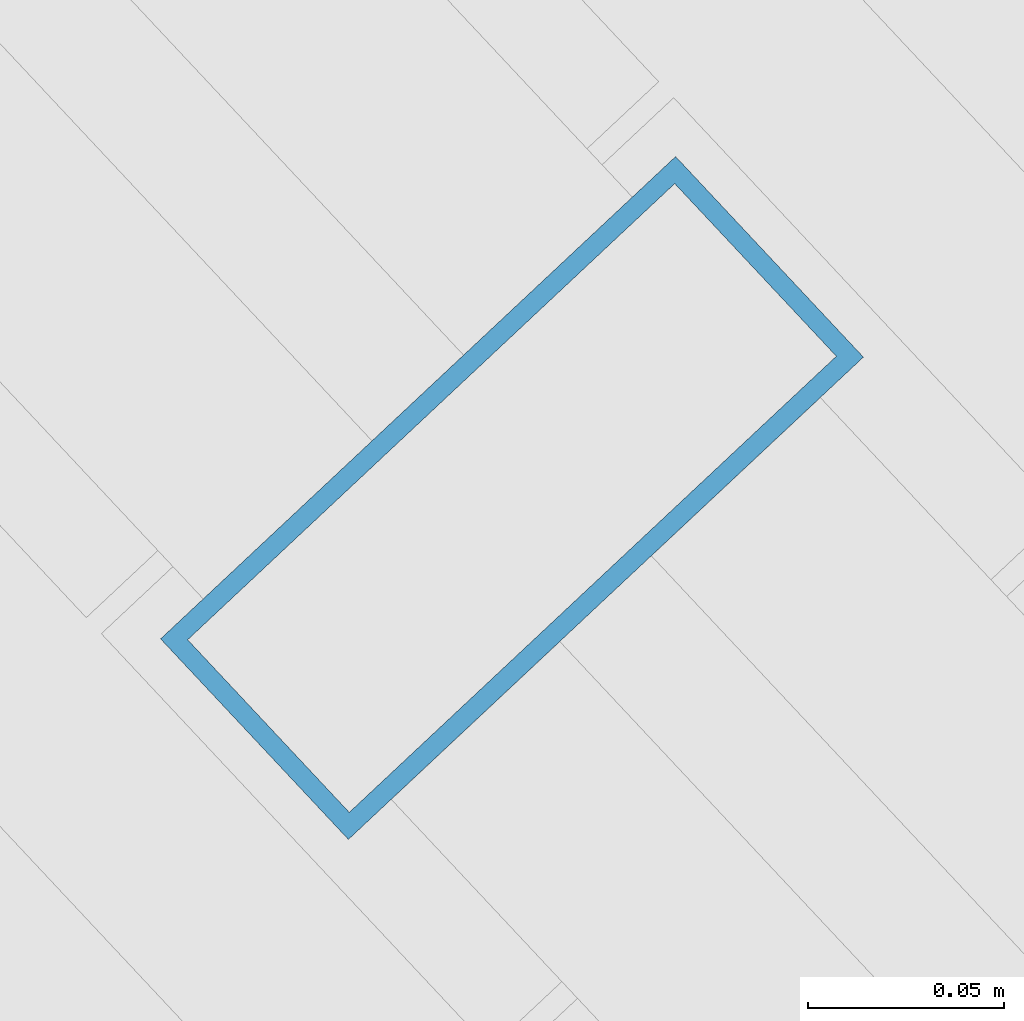
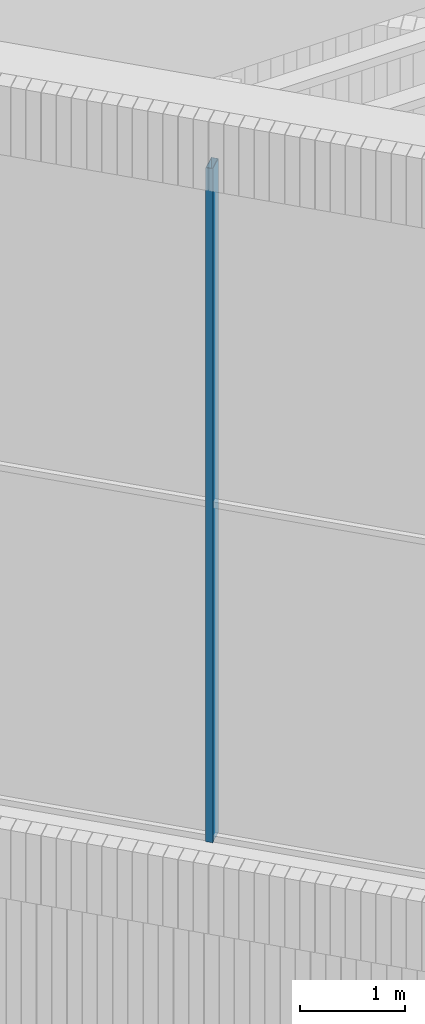
# One storey, part 28 of 117: 1 member, 1 element without a shape of its own.
"""IFC4 building model written with IfcOpenShell, lengths in metres."""

from ifc_helpers import new_model, si_unit, direction, frame, origin, origin_2d, place, context, subcontext, project, spatial, hollow_rectangle, extrude, material, layer, layer_set, material_profile, profile_set, type_object, element, aggregate, save


model = new_model("IFC4")

# Units and contexts
model_context = context("Model", 3, precision=1e-05, world=origin(), true_north=direction((0.0, 1.0)))
body_context = subcontext(model_context, "Body", "Model", "MODEL_VIEW")
ifc_project = project(units=[si_unit("LENGTHUNIT", "METRE"), si_unit("AREAUNIT", "SQUARE_METRE"), si_unit("VOLUMEUNIT", "CUBIC_METRE"), si_unit("PLANEANGLEUNIT", "RADIAN"), si_unit("MASSUNIT", "GRAM", prefix="KILO")], contexts=[model_context])

# Site, building, storey
site_placement = place(None, origin())
site = spatial("IfcSite", under=ifc_project, at=site_placement, CompositionType="ELEMENT")
building_placement = place(site_placement, origin())
building = spatial("IfcBuilding", under=site, at=building_placement, Name="Tarsis Ring Headquarters", CompositionType="ELEMENT")
storey_placement = place(building_placement, frame((0.0, 0.0, 403.60009765625)))
storey = spatial("IfcBuildingStorey", under=building, at=storey_placement, Name="L95", CompositionType="ELEMENT", Elevation=403.60009765625)

# Curtain wall, member
ifc_material_1 = material(Name="Aluminium curtain wall", Category="aluminium")
ifc_layer = layer(ifc_material_1, 0.179931640625)
ifc_layer_set = layer_set([ifc_layer], Name="Curtain wall crown glazing")
curtain_wall_type = type_object("IfcCurtainWallType", Name="Curtain wall crown glazing", PredefinedType="NOTDEFINED", material=ifc_layer_set)
curtain_wall_placement = place(storey_placement, origin())
curtain_wall = element("IfcCurtainWall", 1, at=curtain_wall_placement, inside=storey, type_object=curtain_wall_type, Name="Crown glazing U2", PredefinedType="NOTDEFINED")
ifc_material_2 = material(Name="Aluminium mullion", Category="aluminium")
ifc_material_profile = material_profile(ifc_material_2, hollow_rectangle(XDim=0.179931640625, YDim=0.070068359375, WallThickness=0.0048828125, at=origin_2d()), Name="RHS 180x70x5")
ifc_profile_set = profile_set([ifc_material_profile], Name="Aluminium mullion")
member_type = type_object("IfcMemberType", Name="Crown glazing mullion RHS 180x70x5", PredefinedType="MULLION", material=ifc_profile_set)
member_placement = place(storey_placement, frame((10.64599609375, -33.020751953125, 14.39990234375), z_axis=(0.0, 0.0, 1.0), x_axis=(0.729923743736, 0.68352858633, 0.0)))
member = element("IfcMember", 2, at=member_placement, type_object=member_type, Name="CW-C mullion 3", PredefinedType="MULLION", context=body_context, shape_type="SweptSolid", body=[
    extrude(hollow_rectangle(XDim=0.179931640625, YDim=0.070068359375, WallThickness=0.0048828125, at=origin_2d()), origin(), (0.0, 0.0, 1.0), 7.800048828125),
])
aggregate(curtain_wall, [member])

save(model, "model.ifc")
